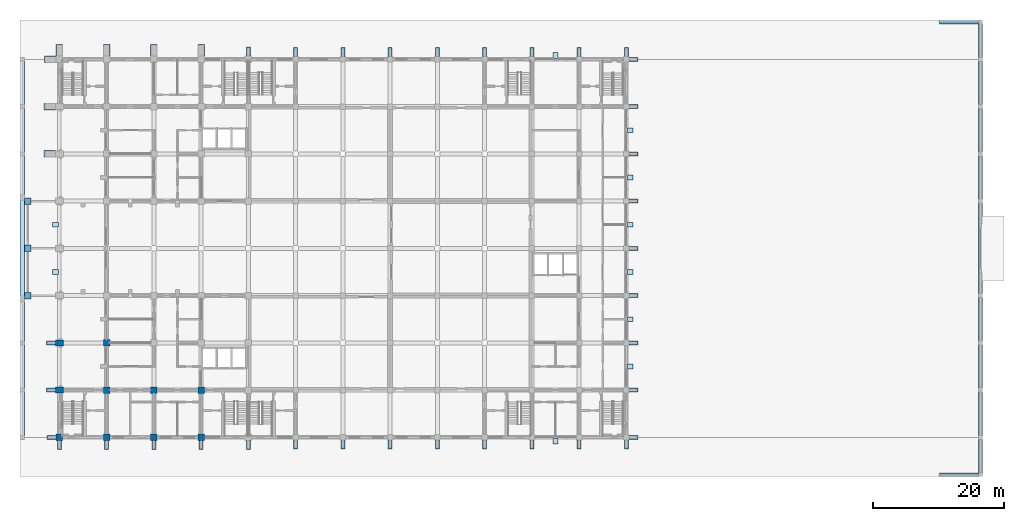
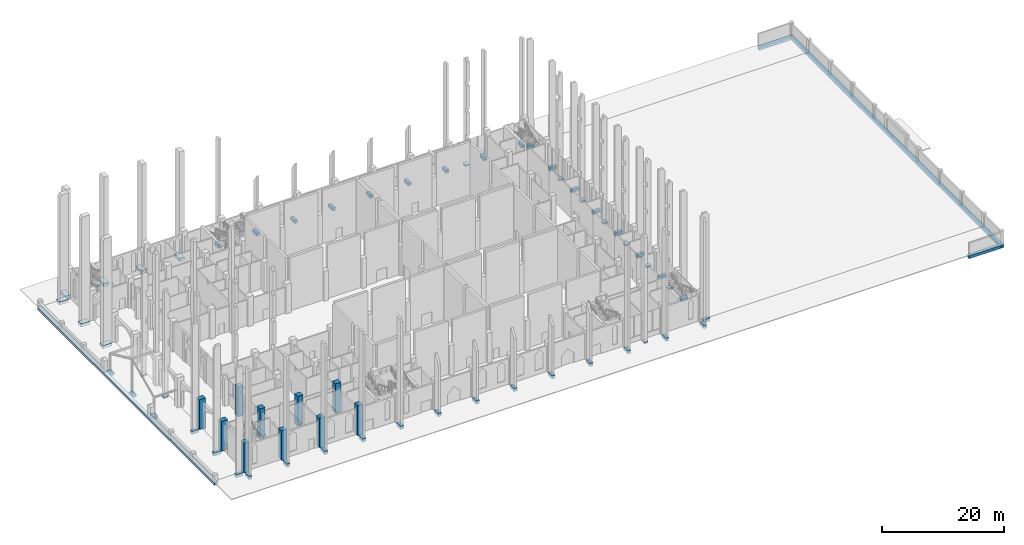
# One storey, part 1 of 50: 58 footings, 10 columns.
"""IFC4 building model written with IfcOpenShell, lengths in metres."""

from ifc_helpers import new_model, si_unit, direction, frame, origin, origin_2d, place, context, subcontext, project, spatial, rectangle, extrude, material, layer, layer_set, material_profile, profile_set, type_object, element, save


model = new_model("IFC4")

# Units and contexts
model_context = context("Model", 3, precision=1e-05, world=origin(), true_north=direction((0.0, 1.0)))
body_context = subcontext(model_context, "Body", "Model", "MODEL_VIEW")
ifc_project = project(units=[si_unit("LENGTHUNIT", "METRE"), si_unit("AREAUNIT", "SQUARE_METRE"), si_unit("VOLUMEUNIT", "CUBIC_METRE"), si_unit("PLANEANGLEUNIT", "RADIAN"), si_unit("MASSUNIT", "GRAM", prefix="KILO")], contexts=[model_context])

# Site, building, storey
site_placement = place(None, origin())
site = spatial("IfcSite", under=ifc_project, at=site_placement, CompositionType="ELEMENT")
building_placement = place(site_placement, origin())
building = spatial("IfcBuilding", under=site, at=building_placement, Name="Silangan Lancet Faculty of Sciences", CompositionType="ELEMENT")
storey_placement = place(building_placement, origin())
storey = spatial("IfcBuildingStorey", under=building, at=storey_placement, Name="L00", CompositionType="ELEMENT", Elevation=0.0)

# Footings
ifc_material_1 = material(Name="Concrete C35/45", Category="concrete")
ifc_layer_1 = layer(ifc_material_1, 0.300048828125)
ifc_layer_set_1 = layer_set([ifc_layer_1], Name="Concrete C35/45")
footing_type_1 = type_object("IfcFootingType", Name="FP1 Fin pad footing 900 x 700", PredefinedType="PAD_FOOTING", material=ifc_layer_set_1)
for number, where, z_axis, x_axis, name in (
    (1, (87.0, 10.800048828125, -0.2998046875), (0.0, 0.0, 1.0), (1.0, 0.0, 0.0), "FP-FIN-E-EB-1"),
    (2, (87.0, 18.0, -0.2998046875), (0.0, 0.0, 1.0), (1.0, 0.0, 0.0), "FP-FIN-E-EB-3"),
    (3, (87.0, 25.199951171875, -0.2998046875), (0.0, 0.0, 1.0), (1.0, 0.0, 0.0), "FP-FIN-E-EB-5"),
    (4, (87.0, 32.39990234375, -0.2998046875), (0.0, 0.0, 1.0), (1.0, 0.0, 0.0), "FP-FIN-E-EB-7"),
    (5, (87.0, 39.60009765625, -0.2998046875), (0.0, 0.0, 1.0), (1.0, 0.0, 0.0), "FP-FIN-E-EB-9"),
    (6, (87.0, 46.800048828125, -0.2998046875), (0.0, 0.0, 1.0), (1.0, 0.0, 0.0), "FP-FIN-E-EB-11"),
    (7, (-0.60009765625, 25.199951171875, -0.2998046875), (0.0, 0.0, 1.0), (1.0, 0.0, 0.0), "FP-FIN-W-NAVE-1"),
    (8, (-0.60009765625, 32.39990234375, -0.2998046875), (0.0, 0.0, 1.0), (1.0, 0.0, 0.0), "FP-FIN-W-NAVE-3"),
):
    element("IfcFooting", number, at=place(storey_placement, frame(where, z_axis=z_axis, x_axis=x_axis)), inside=storey, type_object=footing_type_1, Name=name, PredefinedType="PAD_FOOTING", context=body_context, shape_type="SweptSolid", body=[
        extrude(rectangle(XDim=0.89990234375, YDim=0.699951171875, at=origin_2d()), origin(), (0.0, 0.0, 1.0), 0.300048828125),
    ])
ifc_material_2 = material(Name="Concrete C35/45", Category="concrete")
ifc_layer_2 = layer(ifc_material_2, 0.300048828125)
ifc_layer_set_2 = layer_set([ifc_layer_2], Name="Concrete C35/45")
footing_type_2 = type_object("IfcFootingType", Name="FP2 Fin pad footing 700 x 900", PredefinedType="PAD_FOOTING", material=ifc_layer_set_2)
for number, where, z_axis, x_axis, name in (
    (9, (75.60009765625, -0.60009765625, -0.2998046875), (0.0, 0.0, 1.0), (1.0, 0.0, 0.0), "FP-FIN-S-EB-1"),
    (10, (75.60009765625, 58.199951171875, -0.2998046875), (0.0, 0.0, 1.0), (1.0, 0.0, 0.0), "FP-FIN-N-EB-1"),
):
    element("IfcFooting", number, at=place(storey_placement, frame(where, z_axis=z_axis, x_axis=x_axis)), inside=storey, type_object=footing_type_2, Name=name, PredefinedType="PAD_FOOTING", context=body_context, shape_type="SweptSolid", body=[
        extrude(rectangle(XDim=0.699951171875, YDim=0.89990234375, at=origin_2d()), origin(), (0.0, 0.0, 1.0), 0.300048828125),
    ])
ifc_material_3 = material(Name="Concrete C35/45", Category="concrete")
ifc_layer_3 = layer(ifc_material_3, 0.60009765625)
ifc_layer_set_3 = layer_set([ifc_layer_3], Name="Concrete C35/45")
footing_type_3 = type_object("IfcFootingType", Name="FP3 Fin pad footing 1350 x 600", PredefinedType="PAD_FOOTING", material=ifc_layer_set_3)
for number, where, z_axis, x_axis, name in (
    (11, (-1.175048828125, 0.0, -0.60009765625), (0.0, 0.0, 1.0), (1.0, 0.0, 0.0), "FP-FINC-W-ST-01"),
    (12, (-1.27490234375, 7.199951171875, -0.60009765625), (0.0, 0.0, 1.0), (1.0, 0.0, 0.0), "FP-FINC-W-ST-02"),
    (13, (-1.27490234375, 14.39990234375, -0.60009765625), (0.0, 0.0, 1.0), (1.0, 0.0, 0.0), "FP-FINC-W-ST-03"),
    (14, (87.5, 0.0, -0.60009765625), (0.0, 0.0, 1.0), (1.0, 0.0, 0.0), "FP-FINC-E-EB-01"),
    (15, (87.5, 7.199951171875, -0.60009765625), (0.0, 0.0, 1.0), (1.0, 0.0, 0.0), "FP-FINC-E-EB-02"),
    (16, (87.5, 14.39990234375, -0.60009765625), (0.0, 0.0, 1.0), (1.0, 0.0, 0.0), "FP-FINC-E-EB-03"),
    (17, (87.5, 21.60009765625, -0.60009765625), (0.0, 0.0, 1.0), (1.0, 0.0, 0.0), "FP-FINC-E-EB-04"),
    (18, (87.5, 28.800048828125, -0.60009765625), (0.0, 0.0, 1.0), (1.0, 0.0, 0.0), "FP-FINC-E-EB-05"),
    (19, (87.5, 36.0, -0.60009765625), (0.0, 0.0, 1.0), (1.0, 0.0, 0.0), "FP-FINC-E-EB-06"),
    (20, (87.5, 43.199951171875, -0.60009765625), (0.0, 0.0, 1.0), (1.0, 0.0, 0.0), "FP-FINC-E-EB-07"),
    (21, (87.5, 50.39990234375, -0.60009765625), (0.0, 0.0, 1.0), (1.0, 0.0, 0.0), "FP-FINC-E-EB-08"),
    (22, (87.5, 57.60009765625, -0.60009765625), (0.0, 0.0, 1.0), (1.0, 0.0, 0.0), "FP-FINC-E-EB-09"),
):
    element("IfcFooting", number, at=place(storey_placement, frame(where, z_axis=z_axis, x_axis=x_axis)), inside=storey, type_object=footing_type_3, Name=name, PredefinedType="PAD_FOOTING", context=body_context, shape_type="SweptSolid", body=[
        extrude(rectangle(XDim=1.35009765625, YDim=0.60009765625, at=origin_2d()), origin(), (0.0, 0.0, 1.0), 0.60009765625),
    ])
ifc_material_4 = material(Name="Concrete C35/45", Category="concrete")
ifc_layer_4 = layer(ifc_material_4, 0.60009765625)
ifc_layer_set_4 = layer_set([ifc_layer_4], Name="Concrete C35/45")
footing_type_4 = type_object("IfcFootingType", Name="FP4 Fin pad footing 600 x 1350", PredefinedType="PAD_FOOTING", material=ifc_layer_set_4)
for number, where, z_axis, x_axis, name in (
    (23, (0.0, -1.175048828125, -0.60009765625), (0.0, 0.0, 1.0), (1.0, 0.0, 0.0), "FP-FINC-S-ST-01"),
    (24, (7.199951171875, -1.175048828125, -0.60009765625), (0.0, 0.0, 1.0), (1.0, 0.0, 0.0), "FP-FINC-S-ST-02"),
    (25, (14.39990234375, -1.175048828125, -0.60009765625), (0.0, 0.0, 1.0), (1.0, 0.0, 0.0), "FP-FINC-S-ST-03"),
    (26, (21.60009765625, -1.175048828125, -0.60009765625), (0.0, 0.0, 1.0), (1.0, 0.0, 0.0), "FP-FINC-S-ST-04"),
    (27, (28.800048828125, -1.175048828125, -0.60009765625), (0.0, 0.0, 1.0), (1.0, 0.0, 0.0), "FP-FINC-S-SAB-01"),
    (28, (28.800048828125, 58.77490234375, -0.60009765625), (0.0, 0.0, 1.0), (1.0, 0.0, 0.0), "FP-FINC-N-NAB-01"),
    (29, (36.0, -1.10009765625, -0.60009765625), (0.0, 0.0, 1.0), (1.0, 0.0, 0.0), "FP-FINC-S-SAB-02"),
    (30, (36.0, 58.699951171875, -0.60009765625), (0.0, 0.0, 1.0), (1.0, 0.0, 0.0), "FP-FINC-N-NAB-02"),
    (31, (43.199951171875, -1.10009765625, -0.60009765625), (0.0, 0.0, 1.0), (1.0, 0.0, 0.0), "FP-FINC-S-SAB-03"),
    (32, (43.199951171875, 58.699951171875, -0.60009765625), (0.0, 0.0, 1.0), (1.0, 0.0, 0.0), "FP-FINC-N-NAB-03"),
    (33, (50.39990234375, -1.10009765625, -0.60009765625), (0.0, 0.0, 1.0), (1.0, 0.0, 0.0), "FP-FINC-S-SAB-04"),
    (34, (50.39990234375, 58.699951171875, -0.60009765625), (0.0, 0.0, 1.0), (1.0, 0.0, 0.0), "FP-FINC-N-NAB-04"),
    (35, (57.60009765625, -1.10009765625, -0.60009765625), (0.0, 0.0, 1.0), (1.0, 0.0, 0.0), "FP-FINC-S-SAB-05"),
    (36, (57.60009765625, 58.699951171875, -0.60009765625), (0.0, 0.0, 1.0), (1.0, 0.0, 0.0), "FP-FINC-N-NAB-05"),
    (37, (64.800048828125, -1.10009765625, -0.60009765625), (0.0, 0.0, 1.0), (1.0, 0.0, 0.0), "FP-FINC-S-SAB-06"),
    (38, (64.800048828125, 58.699951171875, -0.60009765625), (0.0, 0.0, 1.0), (1.0, 0.0, 0.0), "FP-FINC-N-NAB-06"),
    (39, (72.0, -1.10009765625, -0.60009765625), (0.0, 0.0, 1.0), (1.0, 0.0, 0.0), "FP-FINC-S-EB-01"),
    (40, (72.0, 58.699951171875, -0.60009765625), (0.0, 0.0, 1.0), (1.0, 0.0, 0.0), "FP-FINC-N-EB-01"),
    (41, (79.199951171875, -1.10009765625, -0.60009765625), (0.0, 0.0, 1.0), (1.0, 0.0, 0.0), "FP-FINC-S-EB-02"),
    (42, (79.199951171875, 58.699951171875, -0.60009765625), (0.0, 0.0, 1.0), (1.0, 0.0, 0.0), "FP-FINC-N-EB-02"),
    (43, (86.39990234375, -1.10009765625, -0.60009765625), (0.0, 0.0, 1.0), (1.0, 0.0, 0.0), "FP-FINC-S-EB-03"),
    (44, (86.39990234375, 58.699951171875, -0.60009765625), (0.0, 0.0, 1.0), (1.0, 0.0, 0.0), "FP-FINC-N-EB-03"),
):
    element("IfcFooting", number, at=place(storey_placement, frame(where, z_axis=z_axis, x_axis=x_axis)), inside=storey, type_object=footing_type_4, Name=name, PredefinedType="PAD_FOOTING", context=body_context, shape_type="SweptSolid", body=[
        extrude(rectangle(XDim=0.60009765625, YDim=1.35009765625, at=origin_2d()), origin(), (0.0, 0.0, 1.0), 0.60009765625),
    ])
ifc_material_5 = material(Name="Concrete C35/45", Category="concrete")
ifc_layer_5 = layer(ifc_material_5, 0.60009765625)
ifc_layer_set_5 = layer_set([ifc_layer_5], Name="Concrete C35/45")
footing_type_5 = type_object("IfcFootingType", Name="FP5 Fin pad footing 1750 x 1000", PredefinedType="PAD_FOOTING", material=ifc_layer_set_5)
for number, where, z_axis, x_axis, name in (
    (45, (-1.47509765625, 43.199951171875, -0.60009765625), (0.0, 0.0, 1.0), (1.0, 0.0, 0.0), "FP-FINC-W-NT-01"),
    (46, (-1.47509765625, 50.39990234375, -0.60009765625), (0.0, 0.0, 1.0), (1.0, 0.0, 0.0), "FP-FINC-W-NT-02"),
    (47, (-1.375, 57.60009765625, -0.60009765625), (0.0, 0.0, 1.0), (1.0, 0.0, 0.0), "FP-FINC-W-NT-03"),
):
    element("IfcFooting", number, at=place(storey_placement, frame(where, z_axis=z_axis, x_axis=x_axis)), inside=storey, type_object=footing_type_5, Name=name, PredefinedType="PAD_FOOTING", context=body_context, shape_type="SweptSolid", body=[
        extrude(rectangle(XDim=1.75, YDim=1.0, at=origin_2d()), origin(), (0.0, 0.0, 1.0), 0.60009765625),
    ])
ifc_material_6 = material(Name="Concrete C35/45", Category="concrete")
ifc_layer_6 = layer(ifc_material_6, 0.60009765625)
ifc_layer_set_6 = layer_set([ifc_layer_6], Name="Concrete C35/45")
footing_type_6 = type_object("IfcFootingType", Name="FP6 Fin pad footing 1000 x 1750", PredefinedType="PAD_FOOTING", material=ifc_layer_set_6)
for number, where, z_axis, x_axis, name in (
    (48, (0.0, 58.97509765625, -0.60009765625), (0.0, 0.0, 1.0), (1.0, 0.0, 0.0), "FP-FINC-N-NT-01"),
    (49, (7.199951171875, 58.97509765625, -0.60009765625), (0.0, 0.0, 1.0), (1.0, 0.0, 0.0), "FP-FINC-N-NT-02"),
    (50, (14.39990234375, 58.97509765625, -0.60009765625), (0.0, 0.0, 1.0), (1.0, 0.0, 0.0), "FP-FINC-N-NT-03"),
    (51, (21.60009765625, 58.97509765625, -0.60009765625), (0.0, 0.0, 1.0), (1.0, 0.0, 0.0), "FP-FINC-N-NT-04"),
):
    element("IfcFooting", number, at=place(storey_placement, frame(where, z_axis=z_axis, x_axis=x_axis)), inside=storey, type_object=footing_type_6, Name=name, PredefinedType="PAD_FOOTING", context=body_context, shape_type="SweptSolid", body=[
        extrude(rectangle(XDim=1.0, YDim=1.75, at=origin_2d()), origin(), (0.0, 0.0, 1.0), 0.60009765625),
    ])
ifc_material_7 = material(Name="Concrete C40/50", Category="concrete")
ifc_layer_7 = layer(ifc_material_7, 0.60009765625)
ifc_layer_set_7 = layer_set([ifc_layer_7], Name="Concrete C40/50")
footing_type_7 = type_object("IfcFootingType", Name="FS1 Gate wall strip footing 600 x 600", PredefinedType="STRIP_FOOTING", material=ifc_layer_set_7)
footing_1_placement = place(storey_placement, frame((140.39990234375, 28.800048828125, -0.75), z_axis=(0.0, 0.0, 1.0), x_axis=(1.0, 0.0, 0.0)))
element("IfcFooting", 52, at=footing_1_placement, inside=storey, type_object=footing_type_7, Name="Ftg Court Wall", PredefinedType="STRIP_FOOTING", context=body_context, shape_type="SweptSolid", body=[
    extrude(rectangle(XDim=0.60009765625, YDim=69.60009765625, at=origin_2d()), origin(), (0.0, 0.0, 1.0), 0.60009765625),
])
for number, where, z_axis, x_axis, name in (
    (53, (137.10009765625, -5.699951171875, -0.75), (0.0, 0.0, 1.0), (1.0, 0.0, 0.0), "Ftg Court Return 1"),
    (54, (137.10009765625, 63.300048828125, -0.75), (0.0, 0.0, 1.0), (1.0, 0.0, 0.0), "Ftg Court Return 2"),
):
    element("IfcFooting", number, at=place(storey_placement, frame(where, z_axis=z_axis, x_axis=x_axis)), inside=storey, type_object=footing_type_7, Name=name, PredefinedType="STRIP_FOOTING", context=body_context, shape_type="SweptSolid", body=[
        extrude(rectangle(XDim=6.0, YDim=0.60009765625, at=origin_2d()), origin(), (0.0, 0.0, 1.0), 0.60009765625),
    ])
ifc_material_8 = material(Name="Concrete C40/50", Category="concrete")
ifc_layer_8 = layer(ifc_material_8, 0.5)
ifc_layer_set_8 = layer_set([ifc_layer_8], Name="Concrete C40/50")
footing_type_8 = type_object("IfcFootingType", Name="FS2 Forecourt wall strip footing 700 x 500", PredefinedType="STRIP_FOOTING", material=ifc_layer_set_8)
footing_2_placement = place(storey_placement, frame((-5.64990234375, 28.800048828125, -0.64990234375), z_axis=(0.0, 0.0, 1.0), x_axis=(1.0, 0.0, 0.0)))
element("IfcFooting", 55, at=footing_2_placement, inside=storey, type_object=footing_type_8, Name="Ftg Forecourt Wall", PredefinedType="STRIP_FOOTING", context=body_context, shape_type="SweptSolid", body=[
    extrude(rectangle(XDim=0.699951171875, YDim=58.199951171875, at=origin_2d()), origin(), (0.0, 0.0, 1.0), 0.5),
])
ifc_material_9 = material(Name="Concrete C35/45", Category="concrete")
ifc_layer_9 = layer(ifc_material_9, 0.60009765625)
ifc_layer_set_9 = layer_set([ifc_layer_9], Name="Concrete C35/45")
footing_type_9 = type_object("IfcFootingType", Name="Porch pad footing 1000 x 1000", PredefinedType="PAD_FOOTING", material=ifc_layer_set_9)
for number, where, z_axis, x_axis, name in (
    (56, (-4.800048828125, 21.60009765625, -0.75), (0.0, 0.0, 1.0), (1.0, 0.0, 0.0), "Porch footing 1"),
    (57, (-4.800048828125, 28.800048828125, -0.75), (0.0, 0.0, 1.0), (1.0, 0.0, 0.0), "Porch footing 2"),
    (58, (-4.800048828125, 36.0, -0.75), (0.0, 0.0, 1.0), (1.0, 0.0, 0.0), "Porch footing 3"),
):
    element("IfcFooting", number, at=place(storey_placement, frame(where, z_axis=z_axis, x_axis=x_axis)), inside=storey, type_object=footing_type_9, Name=name, PredefinedType="PAD_FOOTING", context=body_context, shape_type="SweptSolid", body=[
        extrude(rectangle(XDim=1.0, YDim=1.0, at=origin_2d()), origin(), (0.0, 0.0, 1.0), 0.60009765625),
    ])

# Columns
ifc_material_10 = material(Name="Concrete C50/60", Category="concrete")
ifc_material_profile_1 = material_profile(ifc_material_10, rectangle(XDim=1.0, YDim=1.0, at=origin_2d()), Name="RC 1000x1000")
ifc_profile_set_1 = profile_set([ifc_material_profile_1], Name="Concrete C50/60")
column_type_1 = type_object("IfcColumnType", Name="COLUMN RC 1000x1000", PredefinedType="COLUMN", material=ifc_profile_set_1)
for number, where, z_axis, x_axis, name in (
    (59, (0.0, 0.0, 0.0), (0.0, 0.0, 1.0), (1.0, 0.0, 0.0), "COL-L00-1A"),
    (60, (7.199951171875, 0.0, 0.0), (0.0, 0.0, 1.0), (1.0, 0.0, 0.0), "COL-L00-2A"),
    (61, (7.199951171875, 7.199951171875, 0.0), (0.0, 0.0, 1.0), (1.0, 0.0, 0.0), "COL-L00-2B"),
    (62, (7.199951171875, 14.39990234375, 0.0), (0.0, 0.0, 1.0), (1.0, 0.0, 0.0), "COL-L00-2C"),
    (63, (14.39990234375, 0.0, 0.0), (0.0, 0.0, 1.0), (1.0, 0.0, 0.0), "COL-L00-3A"),
    (64, (14.39990234375, 7.199951171875, 0.0), (0.0, 0.0, 1.0), (1.0, 0.0, 0.0), "COL-L00-3B"),
    (65, (21.60009765625, 0.0, 0.0), (0.0, 0.0, 1.0), (1.0, 0.0, 0.0), "COL-L00-4A"),
    (66, (21.60009765625, 7.199951171875, 0.0), (0.0, 0.0, 1.0), (1.0, 0.0, 0.0), "COL-L00-4B"),
):
    element("IfcColumn", number, at=place(storey_placement, frame(where, z_axis=z_axis, x_axis=x_axis)), inside=storey, type_object=column_type_1, Name=name, PredefinedType="COLUMN", context=body_context, shape_type="SweptSolid", body=[
        extrude(rectangle(XDim=1.0, YDim=1.0, at=origin_2d()), origin(), (0.0, 0.0, 1.0), 6.0),
    ])
ifc_material_11 = material(Name="Concrete C50/60", Category="concrete")
ifc_material_profile_2 = material_profile(ifc_material_11, rectangle(XDim=1.199951171875, YDim=0.89990234375, at=origin_2d()), Name="RC 1200x900")
ifc_profile_set_2 = profile_set([ifc_material_profile_2], Name="Concrete C50/60")
column_type_2 = type_object("IfcColumnType", Name="COLUMN RC 1200x900", PredefinedType="COLUMN", material=ifc_profile_set_2)
for number, where, z_axis, x_axis, name in (
    (67, (0.0, 7.199951171875, 0.0), (0.0, 0.0, 1.0), (1.0, 0.0, 0.0), "COL-L00-1B"),
    (68, (0.0, 14.39990234375, 0.0), (0.0, 0.0, 1.0), (1.0, 0.0, 0.0), "COL-L00-1C"),
):
    element("IfcColumn", number, at=place(storey_placement, frame(where, z_axis=z_axis, x_axis=x_axis)), inside=storey, type_object=column_type_2, Name=name, PredefinedType="COLUMN", context=body_context, shape_type="SweptSolid", body=[
        extrude(rectangle(XDim=1.199951171875, YDim=0.89990234375, at=origin_2d()), origin(), (0.0, 0.0, 1.0), 6.0),
    ])

save(model, "model.ifc")
